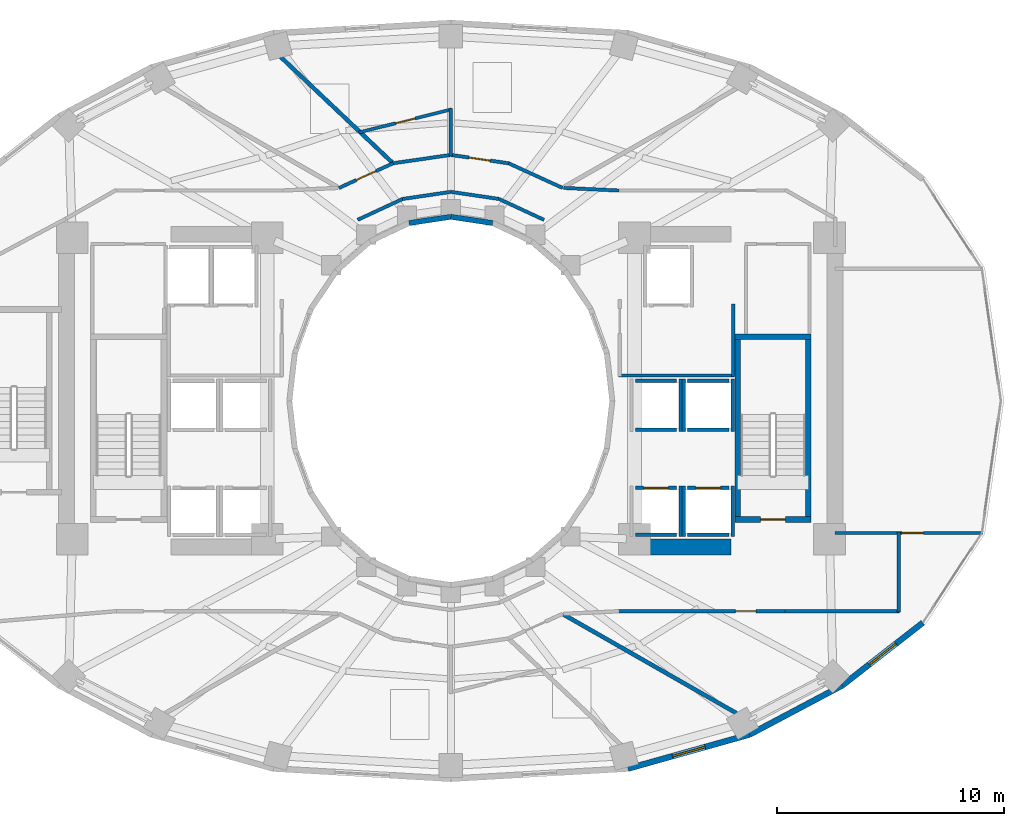
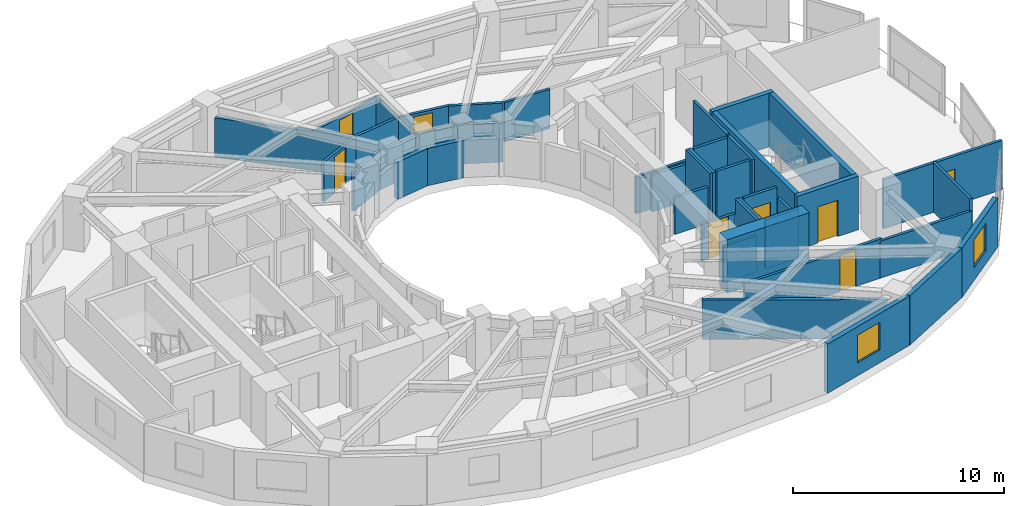
# One storey, part 9 of 13: 43 walls, 8 doors, 2 windows, 10 openings.
"""IFC4 building model written with IfcOpenShell, lengths in metres."""

import ifcopenshell
import ifcopenshell.guid

model = None  # the IFC model being written
_history = None  # IfcOwnerHistory: only IFC2X3 demands one
_inside = {}  # id of a spatial element -> (the spatial element, [elements in it])
_under = {}  # id of a project, library or spatial element -> (it, [spatial elements below it])
_declared = {}  # id of a project -> (the project, [libraries it declares])
_typed = {}  # id of a type object -> (the type object, [elements of that type])
_made_of = {}  # id of a material, layer set ... -> (it, [elements and type objects made of it])


def new_model(schema):
    """Start an empty IFC model of exactly this schema.

    Asked for "IFC4X3", IfcOpenShell would pick the latest addendum, in which some entities
    have other attributes; the version numbers below select the first issue.
    IFC2X3 requires an IfcOwnerHistory on every rooted entity: one is made here for all.
    """
    global model, _history
    if schema == "IFC4X3":
        model = ifcopenshell.file(schema_version=(4, 3, 0, 0))
    else:
        model = ifcopenshell.file(schema=schema)
    _inside.clear()
    _under.clear()
    _declared.clear()
    _typed.clear()
    _made_of.clear()
    _history = None
    if model.schema == "IFC2X3":
        org = make("IfcOrganization", Name="unknown")
        user = make(
            "IfcPersonAndOrganization",
            ThePerson=make("IfcPerson", FamilyName="unknown"),
            TheOrganization=org,
        )
        app = make(
            "IfcApplication",
            ApplicationDeveloper=org,
            Version="unknown",
            ApplicationFullName="unknown",
            ApplicationIdentifier="unknown",
        )
        _history = make(
            "IfcOwnerHistory",
            OwningUser=user,
            OwningApplication=app,
            ChangeAction="ADDED",
            CreationDate=0,
        )
    return model


def make(cls, **values):
    """One entity of the class cls with the attributes given. An attribute that is None is left unset."""
    return model.create_entity(
        cls, **{name: value for name, value in values.items() if value is not None}
    )


def rooted(cls, **values):
    """An entity with a GlobalId (a new one), such as an element, a storey or a relation."""
    return make(cls, GlobalId=ifcopenshell.guid.new(), OwnerHistory=_history, **values)


def si_unit(unit_type, name, prefix=None):
    """IfcSIUnit, for example si_unit("LENGTHUNIT", "METRE", prefix="MILLI")."""
    return make("IfcSIUnit", UnitType=unit_type, Prefix=prefix, Name=name)


def assignment(units):
    """IfcUnitAssignment: the units of a project."""
    return None if units is None else make("IfcUnitAssignment", Units=units)


def point(xyz):
    """IfcCartesianPoint."""
    return None if xyz is None else make("IfcCartesianPoint", Coordinates=xyz)


def direction(xyz):
    """IfcDirection."""
    return None if xyz is None else make("IfcDirection", DirectionRatios=xyz)


def frame(location, z_axis=None, x_axis=None):
    """IfcAxis2Placement3D, a coordinate frame: its origin and axes. An axis left out is left unset."""
    return make(
        "IfcAxis2Placement3D",
        Location=point(location),
        Axis=direction(z_axis),
        RefDirection=direction(x_axis),
    )


def frame_2d(location, x_axis=None):
    """IfcAxis2Placement2D, a coordinate frame in the plane: its origin and x axis."""
    return make(
        "IfcAxis2Placement2D", Location=point(location), RefDirection=direction(x_axis)
    )


def origin():
    """The frame at (0, 0, 0) with its axes left unset."""
    return frame((0.0, 0.0, 0.0))


def place(relative_to, where):
    """IfcLocalPlacement: puts the frame where relative to a parent placement (None: the world)."""
    return make(
        "IfcLocalPlacement", PlacementRelTo=relative_to, RelativePlacement=where
    )


def context(
    kind, dimensions, precision=None, world=None, true_north=None, identifier=None
):
    """IfcGeometricRepresentationContext, for example the 3D "Model" context."""
    return make(
        "IfcGeometricRepresentationContext",
        ContextIdentifier=identifier,
        ContextType=kind,
        CoordinateSpaceDimension=dimensions,
        Precision=precision,
        WorldCoordinateSystem=world,
        TrueNorth=true_north,
    )


def subcontext(parent, identifier, kind, view, scale=None):
    """IfcGeometricRepresentationSubContext, for example "Body" below "Model"."""
    return make(
        "IfcGeometricRepresentationSubContext",
        ContextIdentifier=identifier,
        ContextType=kind,
        ParentContext=parent,
        TargetScale=scale,
        TargetView=view,
    )


def project(units=None, contexts=None):
    """IfcProject with its units and contexts."""
    return rooted(
        "IfcProject",
        Name="project",
        RepresentationContexts=contexts,
        UnitsInContext=assignment(units),
    )


def spatial(cls, under=None, at=None, **own):
    """A site, building, storey or space (cls), placed at a placement, below another one or the project."""
    s = rooted(cls, ObjectPlacement=at, **own)
    if under is not None:
        _under.setdefault(under.id(), (under, []))[1].append(s)
    return s


def profile(cls, at=None, kind="AREA", **sizes):
    """A parametric profile (cls). Its sizes go by their IFC names, for example OverallWidth=200.0."""
    return make(cls, ProfileType=kind, Position=at, **sizes)


def rectangle(**sizes):
    """IfcRectangleProfileDef."""
    return profile("IfcRectangleProfileDef", **sizes)


def extrude(swept, where, along, depth):
    """IfcExtrudedAreaSolid: the profile swept, set in the frame where, extruded along a direction by depth."""
    return make(
        "IfcExtrudedAreaSolid",
        SweptArea=swept,
        Position=where,
        ExtrudedDirection=direction(along),
        Depth=depth,
    )


def shape(context_of_items, identifier, shape_type, items):
    """IfcShapeRepresentation: the items that make up one representation, for example the "Body"."""
    return make(
        "IfcShapeRepresentation",
        ContextOfItems=context_of_items,
        RepresentationIdentifier=identifier,
        RepresentationType=shape_type,
        Items=items,
    )


def material(Name=None, Category=None):
    """IfcMaterial."""
    return make("IfcMaterial", Name=Name, Category=Category)


def layer(
    of_material, thickness, ventilated=None, Name=None, Category=None, Priority=None
):
    """IfcMaterialLayer: one layer of a wall or slab, of a material (None: an air gap)."""
    return make(
        "IfcMaterialLayer",
        Material=of_material,
        LayerThickness=thickness,
        IsVentilated=ventilated,
        Name=Name,
        Category=Category,
        Priority=Priority,
    )


def layer_set(layers, Name=None):
    """IfcMaterialLayerSet."""
    return make("IfcMaterialLayerSet", MaterialLayers=layers, LayerSetName=Name)


def made_of(thing, what):
    """Note that an element or type object is made of a material, layer set ...; save() writes the relation."""
    if what is not None:
        _made_of.setdefault(what.id(), (what, []))[1].append(thing)
    return thing


def type_object(cls, material=None, **own):
    """A type object (cls), such as IfcWallType, which elements share."""
    return made_of(rooted(cls, **own), material)


def element(
    cls,
    number,
    at=None,
    inside=None,
    cuts=None,
    type_object=None,
    material=None,
    context=None,
    identifier="Body",
    shape_type=None,
    held_by="IfcProductDefinitionShape",
    body=None,
    shapes=None,
    **own,
):
    """One element of the class cls, such as IfcWall. Its Tag is "e" and its number.

    at: its placement. inside: the storey or other place that contains it. cuts: it is an
    opening in that element (IfcRelVoidsElement). A single representation is given by context,
    identifier, shape_type and body (its items); several are given by shapes. held_by: the class
    of the entity that holds the representations. save() writes the other relations.
    """
    e = rooted(cls, Tag="e%d" % number, ObjectPlacement=at, **own)
    if body is not None:
        shapes = [shape(context, identifier, shape_type, body)]
    if shapes is not None:
        e.Representation = make(held_by, Representations=shapes)
    if inside is not None:
        _inside.setdefault(inside.id(), (inside, []))[1].append(e)
    if cuts is not None:
        rooted(
            "IfcRelVoidsElement", RelatingBuildingElement=cuts, RelatedOpeningElement=e
        )
    if type_object is not None:
        _typed.setdefault(type_object.id(), (type_object, []))[1].append(e)
    return made_of(e, material)


def fill(opening, filler):
    """IfcRelFillsElement: the door or window that sits in an opening."""
    return rooted(
        "IfcRelFillsElement",
        RelatingOpeningElement=opening,
        RelatedBuildingElement=filler,
    )


def aggregate(whole, parts):
    """IfcRelAggregates: a whole, such as a stair, and the parts it consists of."""
    return rooted("IfcRelAggregates", RelatingObject=whole, RelatedObjects=parts)


def save(model, path):
    """Write the relations noted so far, then the file.

    IfcRelAggregates (storeys below a building ...), IfcRelContainedInSpatialStructure (elements
    in a storey), IfcRelDefinesByType, IfcRelAssociatesMaterial and IfcRelDeclares: one each for
    every whole, place, type object, material and project.
    """
    for whole, parts in _under.values():
        aggregate(whole, parts)
    for where, things in _inside.values():
        rooted(
            "IfcRelContainedInSpatialStructure",
            RelatedElements=things,
            RelatingStructure=where,
        )
    for kind, things in _typed.values():
        rooted("IfcRelDefinesByType", RelatedObjects=things, RelatingType=kind)
    for what, things in _made_of.values():
        rooted("IfcRelAssociatesMaterial", RelatedObjects=things, RelatingMaterial=what)
    for by, libraries in _declared.values():
        rooted("IfcRelDeclares", RelatingContext=by, RelatedDefinitions=libraries)
    model.write(path)


model = new_model("IFC4")

# Units and contexts
model_context = context("Model", 3, precision=1e-05, world=origin(), true_north=direction((0.0, 1.0)))
body_context = subcontext(model_context, "Body", "Model", "MODEL_VIEW")
ifc_project = project(units=[si_unit("LENGTHUNIT", "METRE"), si_unit("AREAUNIT", "SQUARE_METRE"), si_unit("VOLUMEUNIT", "CUBIC_METRE"), si_unit("PLANEANGLEUNIT", "RADIAN"), si_unit("MASSUNIT", "GRAM", prefix="KILO")], contexts=[model_context])

# Site, building, storey
site_placement = place(None, origin())
site = spatial("IfcSite", under=ifc_project, at=site_placement, CompositionType="ELEMENT")
building_placement = place(site_placement, origin())
building = spatial("IfcBuilding", under=site, at=building_placement, Name="Solvane Sanctuary Tower", CompositionType="ELEMENT")
storey_placement = place(building_placement, frame((0.0, 0.0, 85.60009765625)))
storey = spatial("IfcBuildingStorey", under=building, at=storey_placement, Name="L25", CompositionType="ELEMENT", Elevation=85.60009765625)

# Walls
ifc_material_1 = material(Name="Concrete C60/75", Category="concrete")
ifc_layer_1 = layer(ifc_material_1, 0.699951171875, Name="Concrete C60/75")
ifc_layer_set_1 = layer_set([ifc_layer_1], Name="Concrete C60/75")
wall_type_1 = type_object("IfcWallType", Name="Wall W-CORE-700", PredefinedType="SHEAR", material=ifc_layer_set_1)
wall_1_placement = place(storey_placement, frame((39.85009765625, 16.550048828125, 0.0), z_axis=(0.0, 0.0, 1.0), x_axis=(1.0, 0.0, 0.0)))
element("IfcWall", 1, at=wall_1_placement, inside=storey, type_object=wall_type_1, Name="L25 Core Shear Wall EC-S", PredefinedType="SHEAR", context=body_context, shape_type="SweptSolid", body=[
    extrude(rectangle(XDim=4.5, YDim=0.699951171875, at=frame_2d((2.25, 0.0))), origin(), (0.0, 0.0, 1.0), 3.099853515625),
])
ifc_material_2 = material(Name="Acoustic Gypsum Partition Board")
ifc_layer_2 = layer(ifc_material_2, 0.14990234375, Name="Acoustic Gypsum Partition Board")
ifc_layer_set_2 = layer_set([ifc_layer_2], Name="Acoustic Gypsum Partition Board")
wall_type_2 = type_object("IfcWallType", Name="Wall W-CORR-150", PredefinedType="PARTITIONING", material=ifc_layer_set_2)
wall_2_placement = place(storey_placement, frame((39.39990234375, 24.1201171875, 0.0), z_axis=(0.0, 0.0, 1.0), x_axis=(1.0, 0.0, 0.0)))
element("IfcWall", 2, at=wall_2_placement, inside=storey, type_object=wall_type_2, Name="L25 East Firefighting Lobby South Wall", PredefinedType="PARTITIONING", context=body_context, shape_type="SweptSolid", body=[
    extrude(rectangle(XDim=5.080078125, YDim=0.14990234375, at=frame_2d((2.5400390625, 0.0))), origin(), (0.0, 0.0, 1.0), 2.119873046875),
])
wall_3_placement = place(storey_placement, frame((44.449951171875, 24.080078125, 0.0), z_axis=(0.0, 0.0, 1.0), x_axis=(0.0, 1.0, 0.0)))
element("IfcWall", 3, at=wall_3_placement, inside=storey, type_object=wall_type_2, Name="L25 East Firefighting Lobby East Wall", PredefinedType="PARTITIONING", context=body_context, shape_type="SweptSolid", body=[
    extrude(rectangle(XDim=3.199951171875, YDim=0.14990234375, at=frame_2d((1.60009765625, 0.0))), origin(), (0.0, 0.0, 1.0), 2.85498046875),
])
wall_4_placement = place(storey_placement, frame((36.110107421875, 30.98486328125, 0.0), z_axis=(0.0, 0.0, 1.0), x_axis=(-0.906943449489, 0.421252393975, 0.0)))
element("IfcWall", 4, at=wall_4_placement, inside=storey, type_object=wall_type_2, Name="L25 Light-Well Corridor Rim Wall N1", PredefinedType="PARTITIONING", context=body_context, shape_type="SweptSolid", body=[
    extrude(rectangle(XDim=2.18603515625, YDim=0.14990234375, at=frame_2d((1.093017578125, 0.0))), origin(), (0.0, 0.0, 1.0), 2.27197265625),
])
for number, where, z_axis, x_axis, name in (
    (5, (34.12744140625, 31.90576171875, 0.0), (0.0, 0.0, 1.0), (-0.989268584896, 0.146108408166, 0.0), "L25 Light-Well Corridor Rim Wall N2"),
    (6, (32.0, 32.219970703125, 0.0), (0.0, 0.0, 1.0), (-0.989268584896, -0.146108408166, 0.0), "L25 Light-Well Corridor Rim Wall N3"),
):
    element("IfcWall", number, at=place(storey_placement, frame(where, z_axis=z_axis, x_axis=x_axis)), inside=storey, type_object=wall_type_2, Name=name, PredefinedType="PARTITIONING", context=body_context, shape_type="SweptSolid", body=[
        extrude(rectangle(XDim=2.150634765625, YDim=0.14990234375, at=frame_2d((1.0751953125, 0.0))), origin(), (0.0, 0.0, 1.0), 2.27197265625),
    ])
wall_5_placement = place(storey_placement, frame((29.87255859375, 31.90576171875, 0.0), z_axis=(0.0, 0.0, 1.0), x_axis=(-0.906943449489, -0.421252393975, 0.0)))
element("IfcWall", 7, at=wall_5_placement, inside=storey, type_object=wall_type_2, Name="L25 Light-Well Corridor Rim Wall N4", PredefinedType="PARTITIONING", context=body_context, shape_type="SweptSolid", body=[
    extrude(rectangle(XDim=2.18603515625, YDim=0.14990234375, at=frame_2d((1.093017578125, 0.0))), origin(), (0.0, 0.0, 1.0), 2.27197265625),
])

# Wall, opening, door
wall_6_placement = place(storey_placement, frame((48.949951171875, 17.1748046875, 0.0), z_axis=(0.0, 0.0, 1.0), x_axis=(1.0, 0.0, 0.0)))
wall_6 = element("IfcWall", 8, at=wall_6_placement, inside=storey, type_object=wall_type_2, Name="L25 East Shoulder South Wall", PredefinedType="PARTITIONING", context=body_context, shape_type="SweptSolid", body=[
    extrude(rectangle(XDim=6.49169921875, YDim=0.14990234375, at=frame_2d((3.245849609375, 0.0))), origin(), (0.0, 0.0, 1.0), 2.85498046875),
])
opening_1_placement = place(wall_6_placement, frame((2.947509765625, 0.0, 0.0)))
opening_1 = element("IfcOpeningElement", 9, at=opening_1_placement, cuts=wall_6, Name="Opening D-L25-08", PredefinedType="OPENING", context=body_context, shape_type="SweptSolid", body=[
    extrude(rectangle(XDim=0.949951171875, YDim=2.10009765625, at=frame_2d((0.47509765625, 1.050048828125))), frame((0.0, 0.0849609375, 0.0), z_axis=(0.0, -1.0, 0.0), x_axis=(1.0, 0.0, 0.0)), (0.0, 0.0, 1.0), 0.169921875),
])
ifc_material_3 = material(Name="Engineered Tropical Hardwood", Category="wood")
door_type_1 = type_object("IfcDoorType", Name="Door D-ROOM-950", OperationType="NOTDEFINED", PredefinedType="DOOR", material=ifc_material_3)
door_1_placement = place(opening_1_placement, origin())
door_1 = element("IfcDoor", 10, at=door_1_placement, inside=storey, type_object=door_type_1, Name="L25 East Shoulder South Door", OperationType="SINGLE_SWING_LEFT", OverallHeight=2.10009765625, OverallWidth=0.949951171875, PredefinedType="DOOR", context=body_context, shape_type="SweptSolid", body=[
    extrude(rectangle(XDim=0.949951171875, YDim=2.10009765625, at=frame_2d((0.47509765625, 1.050048828125))), frame((0.0, 0.02490234375, 0.0), z_axis=(0.0, -1.0, 0.0), x_axis=(1.0, 0.0, 0.0)), (0.0, 0.0, 1.0), 0.050048828125),
])
fill(opening_1, door_1)

# Walls
wall_7_placement = place(storey_placement, frame((36.97998046875, 32.393798828125, 0.0), z_axis=(0.0, 0.0, 1.0), x_axis=(0.998877427952, -0.047369651964, 0.0)))
element("IfcWall", 11, at=wall_7_placement, inside=storey, type_object=wall_type_2, Name="L25 NE Corner Throat Wall", PredefinedType="PARTITIONING", context=body_context, shape_type="SweptSolid", body=[
    extrude(rectangle(XDim=2.4326171875, YDim=0.14990234375, at=frame_2d((1.21630859375, 0.0))), origin(), (0.0, 0.0, 1.0), 2.27197265625),
])
wall_8_placement = place(storey_placement, frame((51.760009765625, 13.679931640625, 0.0), z_axis=(0.0, 0.0, 1.0), x_axis=(0.0, 1.0, 0.0)))
element("IfcWall", 12, at=wall_8_placement, inside=storey, type_object=wall_type_2, Name="L25 SE Corner Closer 1", PredefinedType="PARTITIONING", context=body_context, shape_type="SweptSolid", body=[
    extrude(rectangle(XDim=3.534912109375, YDim=0.14990234375, at=frame_2d((1.767578125, 0.0))), origin(), (0.0, 0.0, 1.0), 2.85498046875),
])

# Wall, opening, door
wall_9_placement = place(storey_placement, frame((39.330078125, 13.719970703125, 0.0), z_axis=(0.0, 0.0, 1.0), x_axis=(1.0, 0.0, 0.0)))
wall_9 = element("IfcWall", 13, at=wall_9_placement, inside=storey, type_object=wall_type_2, Name="L25 SE Corner Corridor Wall", PredefinedType="PARTITIONING", context=body_context, shape_type="SweptSolid", body=[
    extrude(rectangle(XDim=7.52001953125, YDim=0.14990234375, at=frame_2d((3.760009765625, 0.0))), origin(), (0.0, 0.0, 1.0), 2.27197265625),
])
opening_2_placement = place(wall_9_placement, frame((5.219970703125, 0.0, 0.0)))
opening_2 = element("IfcOpeningElement", 14, at=opening_2_placement, cuts=wall_9, Name="Opening D-L25-13", PredefinedType="OPENING", context=body_context, shape_type="SweptSolid", body=[
    extrude(rectangle(XDim=0.89990234375, YDim=2.10009765625, at=frame_2d((0.449951171875, 1.050048828125))), frame((0.0, 0.0849609375, 0.0), z_axis=(0.0, -1.0, 0.0), x_axis=(1.0, 0.0, 0.0)), (0.0, 0.0, 1.0), 0.169921875),
])
door_type_2 = type_object("IfcDoorType", Name="Door D-WET-900", OperationType="NOTDEFINED", PredefinedType="DOOR", material=ifc_material_3)
door_2_placement = place(opening_2_placement, origin())
door_2 = element("IfcDoor", 15, at=door_2_placement, inside=storey, type_object=door_type_2, Name="L25 SE Corner Salon Door", OperationType="SINGLE_SWING_RIGHT", OverallHeight=2.10009765625, OverallWidth=0.89990234375, PredefinedType="DOOR", context=body_context, shape_type="SweptSolid", body=[
    extrude(rectangle(XDim=0.89990234375, YDim=2.10009765625, at=frame_2d((0.449951171875, 1.050048828125))), frame((0.0, 0.02490234375, 0.0), z_axis=(0.0, -1.0, 0.0), x_axis=(1.0, 0.0, 0.0)), (0.0, 0.0, 1.0), 0.050048828125),
])
fill(opening_2, door_2)

# Walls
wall_10_placement = place(storey_placement, frame((46.75, 13.719970703125, 0.0), z_axis=(0.0, 0.0, 1.0), x_axis=(1.0, 0.0, 0.0)))
element("IfcWall", 16, at=wall_10_placement, inside=storey, type_object=wall_type_2, Name="L25 SE Corner Wing Wall", PredefinedType="PARTITIONING", context=body_context, shape_type="SweptSolid", body=[
    extrude(rectangle(XDim=5.050048828125, YDim=0.14990234375, at=frame_2d((2.52490234375, 0.0))), origin(), (0.0, 0.0, 1.0), 2.141845703125),
])
wall_11_placement = place(storey_placement, frame((32.049560546875, 33.857177734375, 0.0), z_axis=(0.0, 0.0, 1.0), x_axis=(-0.989649898776, -0.143502884474, 0.0)))
element("IfcWall", 17, at=wall_11_placement, inside=storey, type_object=wall_type_2, Name="L25 En-suite Inner Wall N1", PredefinedType="PARTITIONING", context=body_context, shape_type="SweptSolid", body=[
    extrude(rectangle(XDim=2.676025390625, YDim=0.14990234375, at=frame_2d((1.337890625, 0.0))), origin(), (0.0, 0.0, 1.0), 2.27197265625),
])
wall_12_placement = place(storey_placement, frame((36.930908203125, 32.392578125, 0.0), z_axis=(0.0, 0.0, 1.0), x_axis=(-0.909747571199, 0.415161843982, 0.0)))
element("IfcWall", 18, at=wall_12_placement, inside=storey, type_object=wall_type_2, Name="L25 Unit Corridor Wall N1", PredefinedType="PARTITIONING", context=body_context, shape_type="SweptSolid", body=[
    extrude(rectangle(XDim=2.625, YDim=0.14990234375, at=frame_2d((1.3125, 0.0))), origin(), (0.0, 0.0, 1.0), 2.27197265625),
])

# Wall, opening, door
wall_13_placement = place(storey_placement, frame((34.555908203125, 33.478271484375, 0.0), z_axis=(0.0, 0.0, 1.0), x_axis=(-0.989637894688, 0.143585644814, 0.0)))
wall_13 = element("IfcWall", 19, at=wall_13_placement, inside=storey, type_object=wall_type_2, Name="L25 Unit Corridor Wall N1", PredefinedType="PARTITIONING", context=body_context, shape_type="SweptSolid", body=[
    extrude(rectangle(XDim=2.589599609375, YDim=0.14990234375, at=frame_2d((1.294921875, 0.0))), origin(), (0.0, 0.0, 1.0), 2.27197265625),
])
opening_3_placement = place(wall_13_placement, frame((0.81982421875, 0.0, 0.0)))
opening_3 = element("IfcOpeningElement", 20, at=opening_3_placement, cuts=wall_13, Name="Opening D-L25-15", PredefinedType="OPENING", context=body_context, shape_type="SweptSolid", body=[
    extrude(rectangle(XDim=0.949951171875, YDim=2.10009765625, at=frame_2d((0.47509765625, 1.050048828125))), frame((0.0, 0.0849609375, 0.0), z_axis=(0.0, -1.0, 0.0), x_axis=(1.0, 0.0, 0.0)), (0.0, 0.0, 1.0), 0.169921875),
])
door_3_placement = place(opening_3_placement, origin())
door_3 = element("IfcDoor", 21, at=door_3_placement, inside=storey, type_object=door_type_1, Name="L25 Unit Entrance Door N1", OperationType="SINGLE_SWING_RIGHT", OverallHeight=2.10009765625, OverallWidth=0.949951171875, PredefinedType="DOOR", context=body_context, shape_type="SweptSolid", body=[
    extrude(rectangle(XDim=0.949951171875, YDim=2.10009765625, at=frame_2d((0.47509765625, 1.050048828125))), frame((0.0, 0.02490234375, 0.0), z_axis=(0.0, -1.0, 0.0), x_axis=(1.0, 0.0, 0.0)), (0.0, 0.0, 1.0), 0.050048828125),
])
fill(opening_3, door_3)

wall_14_placement = place(storey_placement, frame((29.457275390625, 33.482421875, 0.0), z_axis=(0.0, 0.0, 1.0), x_axis=(-0.909747571199, -0.415161843982, 0.0)))
wall_14 = element("IfcWall", 22, at=wall_14_placement, inside=storey, type_object=wall_type_2, Name="L25 Unit Corridor Wall N2", PredefinedType="PARTITIONING", context=body_context, shape_type="SweptSolid", body=[
    extrude(rectangle(XDim=2.625, YDim=0.14990234375, at=frame_2d((1.3125, 0.0))), origin(), (0.0, 0.0, 1.0), 2.27197265625),
])
opening_4_placement = place(wall_14_placement, frame((0.837646484375, 0.0, 0.0)))
opening_4 = element("IfcOpeningElement", 23, at=opening_4_placement, cuts=wall_14, Name="Opening D-L25-16", PredefinedType="OPENING", context=body_context, shape_type="SweptSolid", body=[
    extrude(rectangle(XDim=0.949951171875, YDim=2.10009765625, at=frame_2d((0.47509765625, 1.050048828125))), frame((0.0, 0.0849609375, 0.0), z_axis=(0.0, -1.0, 0.0), x_axis=(1.0, 0.0, 0.0)), (0.0, 0.0, 1.0), 0.169921875),
])
door_4_placement = place(opening_4_placement, origin())
door_4 = element("IfcDoor", 24, at=door_4_placement, inside=storey, type_object=door_type_1, Name="L25 Unit Entrance Door N2", OperationType="SINGLE_SWING_LEFT", OverallHeight=2.10009765625, OverallWidth=0.949951171875, PredefinedType="DOOR", context=body_context, shape_type="SweptSolid", body=[
    extrude(rectangle(XDim=0.949951171875, YDim=2.10009765625, at=frame_2d((0.47509765625, 1.050048828125))), frame((0.0, 0.02490234375, 0.0), z_axis=(0.0, -1.0, 0.0), x_axis=(1.0, 0.0, 0.0)), (0.0, 0.0, 1.0), 0.050048828125),
])
fill(opening_4, door_4)

# Wall, opening, window
ifc_material_4 = material(Name="Precast concrete C40/50", Category="concrete")
ifc_layer_3 = layer(ifc_material_4, 0.260009765625, Name="Precast concrete C40/50")
ifc_layer_set_3 = layer_set([ifc_layer_3], Name="Precast concrete C40/50")
wall_type_3 = type_object("IfcWallType", Name="Wall W-EXT-250", PredefinedType="STANDARD", material=ifc_layer_set_3)
wall_15_placement = place(storey_placement, frame((39.81640625, 6.7783203125, 0.0), z_axis=(0.0, 0.0, 1.0), x_axis=(0.962938491413, 0.269721081407, 0.0)))
wall_15 = element("IfcWall", 25, at=wall_15_placement, inside=storey, type_object=wall_type_3, Name="L25 Ceramic-Printed Facade Wall 19", PredefinedType="STANDARD", context=body_context, shape_type="SweptSolid", body=[
    extrude(rectangle(XDim=5.563232421875, YDim=0.260009765625, at=frame_2d((2.78173828125, 0.0))), origin(), (0.0, 0.0, 1.0), 2.849853515625),
])
opening_5_placement = place(wall_15_placement, frame((2.031494140625, 0.0, 0.75)))
opening_5 = element("IfcOpeningElement", 26, at=opening_5_placement, cuts=wall_15, Name="Opening WN-OPER-1500", PredefinedType="OPENING", context=body_context, shape_type="SweptSolid", body=[
    extrude(rectangle(XDim=1.5, YDim=1.60009765625, at=frame_2d((0.75, 0.800048828125))), frame((0.0, 0.139892578125, 0.0), z_axis=(0.0, -1.0, 0.0), x_axis=(1.0, 0.0, 0.0)), (0.0, 0.0, 1.0), 0.280029296875),
])
ifc_material_5 = material(Name="Dark Ceramic-Fritted Low-E Glass", Category="glass")
window_type = type_object("IfcWindowType", Name="Window WN-OPER-1500", PartitioningType="SINGLE_PANEL", PredefinedType="WINDOW", material=ifc_material_5)
window_1_placement = place(opening_5_placement, origin())
window_1 = element("IfcWindow", 27, at=window_1_placement, inside=storey, type_object=window_type, Name="L25 Operable Facade Window 19", OverallHeight=1.60009765625, OverallWidth=1.5, PartitioningType="SINGLE_PANEL", PredefinedType="WINDOW", context=body_context, shape_type="SweptSolid", body=[
    extrude(rectangle(XDim=1.5, YDim=1.60009765625, at=frame_2d((0.75, 0.800048828125))), frame((0.0, 0.030029296875, 0.0), z_axis=(0.0, -1.0, 0.0), x_axis=(1.0, 0.0, 0.0)), (0.0, 0.0, 1.0), 0.06005859375),
])
fill(opening_5, window_1)

# Wall
wall_16_placement = place(storey_placement, frame((45.17333984375, 8.27880859375, 0.0), z_axis=(0.0, 0.0, 1.0), x_axis=(0.883668636807, 0.4681129568, 0.0)))
element("IfcWall", 28, at=wall_16_placement, inside=storey, type_object=wall_type_3, Name="L25 Ceramic-Printed Facade Wall 20", PredefinedType="STANDARD", context=body_context, shape_type="SweptSolid", body=[
    extrude(rectangle(XDim=4.63134765625, YDim=0.260009765625, at=frame_2d((2.315673828125, 0.0))), origin(), (0.0, 0.0, 1.0), 2.849853515625),
])

# Wall, opening, window
wall_17_placement = place(storey_placement, frame((49.265869140625, 10.44677734375, 0.0), z_axis=(0.0, 0.0, 1.0), x_axis=(0.789127449954, 0.614229491094, 0.0)))
wall_17 = element("IfcWall", 29, at=wall_17_placement, inside=storey, type_object=wall_type_3, Name="L25 Ceramic-Printed Facade Wall 21", PredefinedType="STANDARD", context=body_context, shape_type="SweptSolid", body=[
    extrude(rectangle(XDim=4.504638671875, YDim=0.260009765625, at=frame_2d((2.25244140625, 0.0))), origin(), (0.0, 0.0, 1.0), 2.849853515625),
])
opening_6_placement = place(wall_17_placement, frame((1.502197265625, 0.0, 0.75)))
opening_6 = element("IfcOpeningElement", 30, at=opening_6_placement, cuts=wall_17, Name="Opening WN-OPER-1500", PredefinedType="OPENING", context=body_context, shape_type="SweptSolid", body=[
    extrude(rectangle(XDim=1.5, YDim=1.60009765625, at=frame_2d((0.75, 0.800048828125))), frame((0.0, 0.139892578125, 0.0), z_axis=(0.0, -1.0, 0.0), x_axis=(1.0, 0.0, 0.0)), (0.0, 0.0, 1.0), 0.280029296875),
])
window_2_placement = place(opening_6_placement, origin())
window_2 = element("IfcWindow", 31, at=window_2_placement, inside=storey, type_object=window_type, Name="L25 Operable Facade Window 21", OverallHeight=1.60009765625, OverallWidth=1.5, PartitioningType="SINGLE_PANEL", PredefinedType="WINDOW", context=body_context, shape_type="SweptSolid", body=[
    extrude(rectangle(XDim=1.5, YDim=1.60009765625, at=frame_2d((0.75, 0.800048828125))), frame((0.0, 0.030029296875, 0.0), z_axis=(0.0, -1.0, 0.0), x_axis=(1.0, 0.0, 0.0)), (0.0, 0.0, 1.0), 0.06005859375),
])
fill(opening_6, window_2)

# Walls
ifc_layer_4 = layer(ifc_material_4, 0.22998046875, Name="Precast concrete C40/50")
ifc_layer_set_4 = layer_set([ifc_layer_4], Name="Precast concrete C40/50")
wall_type_4 = type_object("IfcWallType", Name="Wall W-EXT-SP220", PredefinedType="STANDARD", material=ifc_layer_set_4)
for number, where, z_axis, x_axis, name in (
    (32, (33.8427734375, 30.84326171875, 0.0), (0.0, 0.0, 1.0), (-0.988901730308, 0.148571086668, 0.0), "L25 Central Light-Well Wall 05"),
    (33, (32.0, 31.1201171875, 0.0), (0.0, 0.0, 1.0), (-0.988901730308, -0.148571086668, 0.0), "L25 Central Light-Well Wall 06"),
):
    element("IfcWall", number, at=place(storey_placement, frame(where, z_axis=z_axis, x_axis=x_axis)), inside=storey, type_object=wall_type_4, Name=name, PredefinedType="STANDARD", context=body_context, shape_type="SweptSolid", body=[
        extrude(rectangle(XDim=1.863525390625, YDim=0.22998046875, at=frame_2d((0.931640625, 0.0))), origin(), (0.0, 0.0, 1.0), 2.159912109375),
    ])

# Wall, opening, door
ifc_material_6 = material(Name="Concrete C50/60", Category="concrete")
ifc_layer_5 = layer(ifc_material_6, 0.14990234375, Name="Concrete C50/60")
ifc_layer_set_5 = layer_set([ifc_layer_5], Name="Concrete C50/60")
wall_type_5 = type_object("IfcWallType", Name="Wall W-SHAFT-150", PredefinedType="SOLIDWALL", material=ifc_layer_set_5)
wall_18_placement = place(storey_placement, frame((40.139892578125, 19.159912109375, 0.0), z_axis=(0.0, 0.0, 1.0), x_axis=(1.0, 0.0, 0.0)))
wall_18 = element("IfcWall", 34, at=wall_18_placement, inside=storey, type_object=wall_type_5, Name="L25 PL-3 Lift Shaft Wall F", PredefinedType="SOLIDWALL", context=body_context, shape_type="SweptSolid", body=[
    extrude(rectangle(XDim=1.820068359375, YDim=0.14990234375, at=frame_2d((0.91015625, 0.0))), origin(), (0.0, 0.0, 1.0), 2.119873046875),
])
opening_7_placement = place(wall_18_placement, frame((0.360107421875, 0.0, 0.0)))
opening_7 = element("IfcOpeningElement", 35, at=opening_7_placement, cuts=wall_18, Name="Opening LD-L25-03", PredefinedType="OPENING", context=body_context, shape_type="SweptSolid", body=[
    extrude(rectangle(XDim=1.10009765625, YDim=2.10009765625, at=frame_2d((0.550048828125, 1.050048828125))), frame((0.0, 0.0849609375, 0.0), z_axis=(0.0, -1.0, 0.0), x_axis=(1.0, 0.0, 0.0)), (0.0, 0.0, 1.0), 0.169921875),
])
ifc_material_7 = material(Name="Architectural Stainless Steel 316", Category="steel")
door_type_3 = type_object("IfcDoorType", Name="Door LD-PASS-1100", OperationType="NOTDEFINED", PredefinedType="DOOR", material=ifc_material_7)
door_5_placement = place(opening_7_placement, origin())
door_5 = element("IfcDoor", 36, at=door_5_placement, inside=storey, type_object=door_type_3, Name="L25 PL-3 Lift Landing Door", OperationType="DOUBLE_DOOR_SLIDING", OverallHeight=2.10009765625, OverallWidth=1.10009765625, PredefinedType="DOOR", context=body_context, shape_type="SweptSolid", body=[
    extrude(rectangle(XDim=1.10009765625, YDim=2.10009765625, at=frame_2d((0.550048828125, 1.050048828125))), frame((0.0, 0.02490234375, 0.0), z_axis=(0.0, -1.0, 0.0), x_axis=(1.0, 0.0, 0.0)), (0.0, 0.0, 1.0), 0.050048828125),
])
fill(opening_7, door_5)

# Walls
wall_19_placement = place(storey_placement, frame((40.139892578125, 17.10009765625, 0.0), z_axis=(0.0, 0.0, 1.0), x_axis=(1.0, 0.0, 0.0)))
element("IfcWall", 37, at=wall_19_placement, inside=storey, type_object=wall_type_5, Name="L25 PL-3 Lift Shaft Wall B", PredefinedType="SOLIDWALL", context=body_context, shape_type="SweptSolid", body=[
    extrude(rectangle(XDim=1.820068359375, YDim=0.14990234375, at=frame_2d((0.91015625, 0.0))), origin(), (0.0, 0.0, 1.0), 2.119873046875),
])
wall_20_placement = place(storey_placement, frame((42.1298828125, 17.02001953125, 0.0), z_axis=(0.0, 0.0, 1.0), x_axis=(0.0, 1.0, 0.0)))
element("IfcWall", 38, at=wall_20_placement, inside=storey, type_object=wall_type_5, Name="L25 PL-3 Lift Shaft Wall S2", PredefinedType="SOLIDWALL", context=body_context, shape_type="SweptSolid", body=[
    extrude(rectangle(XDim=2.219970703125, YDim=0.14990234375, at=frame_2d((1.10986328125, 0.0))), origin(), (0.0, 0.0, 1.0), 2.85498046875),
])

# Wall, opening, door
wall_21_placement = place(storey_placement, frame((42.43994140625, 19.159912109375, 0.0), z_axis=(0.0, 0.0, 1.0), x_axis=(1.0, 0.0, 0.0)))
wall_21 = element("IfcWall", 39, at=wall_21_placement, inside=storey, type_object=wall_type_5, Name="L25 PL-4 Lift Shaft Wall F", PredefinedType="SOLIDWALL", context=body_context, shape_type="SweptSolid", body=[
    extrude(rectangle(XDim=1.820068359375, YDim=0.14990234375, at=frame_2d((0.91015625, 0.0))), origin(), (0.0, 0.0, 1.0), 2.85498046875),
])
opening_8_placement = place(wall_21_placement, frame((0.360107421875, 0.0, 0.0)))
opening_8 = element("IfcOpeningElement", 40, at=opening_8_placement, cuts=wall_21, Name="Opening LD-L25-04", PredefinedType="OPENING", context=body_context, shape_type="SweptSolid", body=[
    extrude(rectangle(XDim=1.10009765625, YDim=2.10009765625, at=frame_2d((0.550048828125, 1.050048828125))), frame((0.0, 0.0849609375, 0.0), z_axis=(0.0, -1.0, 0.0), x_axis=(1.0, 0.0, 0.0)), (0.0, 0.0, 1.0), 0.169921875),
])
door_6_placement = place(opening_8_placement, origin())
door_6 = element("IfcDoor", 41, at=door_6_placement, inside=storey, type_object=door_type_3, Name="L25 PL-4 Lift Landing Door", OperationType="DOUBLE_DOOR_SLIDING", OverallHeight=2.10009765625, OverallWidth=1.10009765625, PredefinedType="DOOR", context=body_context, shape_type="SweptSolid", body=[
    extrude(rectangle(XDim=1.10009765625, YDim=2.10009765625, at=frame_2d((0.550048828125, 1.050048828125))), frame((0.0, 0.02490234375, 0.0), z_axis=(0.0, -1.0, 0.0), x_axis=(1.0, 0.0, 0.0)), (0.0, 0.0, 1.0), 0.050048828125),
])
fill(opening_8, door_6)

# Walls
wall_22_placement = place(storey_placement, frame((42.43994140625, 17.10009765625, 0.0), z_axis=(0.0, 0.0, 1.0), x_axis=(1.0, 0.0, 0.0)))
element("IfcWall", 42, at=wall_22_placement, inside=storey, type_object=wall_type_5, Name="L25 PL-4 Lift Shaft Wall B", PredefinedType="SOLIDWALL", context=body_context, shape_type="SweptSolid", body=[
    extrude(rectangle(XDim=1.820068359375, YDim=0.14990234375, at=frame_2d((0.91015625, 0.0))), origin(), (0.0, 0.0, 1.0), 2.85498046875),
])
wall_23_placement = place(storey_placement, frame((42.27001953125, 17.02001953125, 0.0), z_axis=(0.0, 0.0, 1.0), x_axis=(0.0, 1.0, 0.0)))
element("IfcWall", 43, at=wall_23_placement, inside=storey, type_object=wall_type_5, Name="L25 PL-4 Lift Shaft Wall S1", PredefinedType="SOLIDWALL", context=body_context, shape_type="SweptSolid", body=[
    extrude(rectangle(XDim=2.219970703125, YDim=0.14990234375, at=frame_2d((1.10986328125, 0.0))), origin(), (0.0, 0.0, 1.0), 2.85498046875),
])
wall_24_placement = place(storey_placement, frame((44.429931640625, 17.02001953125, 0.0), z_axis=(0.0, 0.0, 1.0), x_axis=(0.0, 1.0, 0.0)))
element("IfcWall", 44, at=wall_24_placement, inside=storey, type_object=wall_type_5, Name="L25 PL-4 Lift Shaft Wall S2", PredefinedType="SOLIDWALL", context=body_context, shape_type="SweptSolid", body=[
    extrude(rectangle(XDim=2.219970703125, YDim=0.14990234375, at=frame_2d((1.10986328125, 0.0))), origin(), (0.0, 0.0, 1.0), 2.119873046875),
])
for number, where, z_axis, x_axis, name in (
    (45, (42.43994140625, 21.719970703125, 0.0), (0.0, 0.0, 1.0), (1.0, 0.0, 0.0), "L25 PM-2 Lift Shaft Wall F"),
    (46, (42.43994140625, 23.8798828125, 0.0), (0.0, 0.0, 1.0), (1.0, 0.0, 0.0), "L25 PM-2 Lift Shaft Wall B"),
):
    element("IfcWall", number, at=place(storey_placement, frame(where, z_axis=z_axis, x_axis=x_axis)), inside=storey, type_object=wall_type_5, Name=name, PredefinedType="SOLIDWALL", context=body_context, shape_type="SweptSolid", body=[
        extrude(rectangle(XDim=1.820068359375, YDim=0.14990234375, at=frame_2d((0.91015625, 0.0))), origin(), (0.0, 0.0, 1.0), 2.85498046875),
    ])
for number, where, z_axis, x_axis, name in (
    (47, (42.27001953125, 21.639892578125, 0.0), (0.0, 0.0, 1.0), (0.0, 1.0, 0.0), "L25 PM-2 Lift Shaft Wall S1"),
    (48, (44.429931640625, 21.639892578125, 0.0), (0.0, 0.0, 1.0), (0.0, 1.0, 0.0), "L25 PM-2 Lift Shaft Wall S2"),
):
    element("IfcWall", number, at=place(storey_placement, frame(where, z_axis=z_axis, x_axis=x_axis)), inside=storey, type_object=wall_type_5, Name=name, PredefinedType="SOLIDWALL", context=body_context, shape_type="SweptSolid", body=[
        extrude(rectangle(XDim=2.320068359375, YDim=0.14990234375, at=frame_2d((1.16015625, 0.0))), origin(), (0.0, 0.0, 1.0), 2.85498046875),
    ])
for number, where, z_axis, x_axis, name in (
    (49, (40.139892578125, 21.719970703125, 0.0), (0.0, 0.0, 1.0), (1.0, 0.0, 0.0), "L25 PH-2 Lift Shaft Wall F"),
    (50, (40.139892578125, 23.8798828125, 0.0), (0.0, 0.0, 1.0), (1.0, 0.0, 0.0), "L25 PH-2 Lift Shaft Wall B"),
):
    element("IfcWall", number, at=place(storey_placement, frame(where, z_axis=z_axis, x_axis=x_axis)), inside=storey, type_object=wall_type_5, Name=name, PredefinedType="SOLIDWALL", context=body_context, shape_type="SweptSolid", body=[
        extrude(rectangle(XDim=1.820068359375, YDim=0.14990234375, at=frame_2d((0.91015625, 0.0))), origin(), (0.0, 0.0, 1.0), 2.119873046875),
    ])
wall_25_placement = place(storey_placement, frame((42.1298828125, 21.639892578125, 0.0), z_axis=(0.0, 0.0, 1.0), x_axis=(0.0, 1.0, 0.0)))
element("IfcWall", 51, at=wall_25_placement, inside=storey, type_object=wall_type_5, Name="L25 PH-2 Lift Shaft Wall S2", PredefinedType="SOLIDWALL", context=body_context, shape_type="SweptSolid", body=[
    extrude(rectangle(XDim=2.320068359375, YDim=0.14990234375, at=frame_2d((1.16015625, 0.0))), origin(), (0.0, 0.0, 1.0), 2.85498046875),
])

# Wall, opening, door
ifc_layer_6 = layer(ifc_material_6, 0.25, Name="Concrete C50/60")
ifc_layer_set_6 = layer_set([ifc_layer_6], Name="Concrete C50/60")
wall_type_6 = type_object("IfcWallType", Name="Wall W-SHAFT-250", PredefinedType="SOLIDWALL", material=ifc_layer_set_6)
wall_26_placement = place(storey_placement, frame((44.52490234375, 17.77001953125, 0.0), z_axis=(0.0, 0.0, 1.0), x_axis=(1.0, 0.0, 0.0)))
wall_26 = element("IfcWall", 52, at=wall_26_placement, inside=storey, type_object=wall_type_6, Name="L25 ST-2 Load-Bearing Shaft Wall S", PredefinedType="SOLIDWALL", context=body_context, shape_type="SweptSolid", body=[
    extrude(rectangle(XDim=3.3701171875, YDim=0.25, at=frame_2d((1.68505859375, 0.0))), origin(), (0.0, 0.0, 1.0), 3.099853515625),
])
opening_9_placement = place(wall_26_placement, frame((1.135009765625, 0.0, 0.0)))
opening_9 = element("IfcOpeningElement", 53, at=opening_9_placement, cuts=wall_26, Name="Opening D-L25-02", PredefinedType="OPENING", context=body_context, shape_type="SweptSolid", body=[
    extrude(rectangle(XDim=1.10009765625, YDim=2.10009765625, at=frame_2d((0.550048828125, 1.050048828125))), frame((0.0, 0.135009765625, 0.0), z_axis=(0.0, -1.0, 0.0), x_axis=(1.0, 0.0, 0.0)), (0.0, 0.0, 1.0), 0.27001953125),
])
door_type_4 = type_object("IfcDoorType", Name="Door D-STAIR", OperationType="NOTDEFINED", PredefinedType="DOOR", material=ifc_material_7)
door_7_placement = place(opening_9_placement, origin())
door_7 = element("IfcDoor", 54, at=door_7_placement, inside=storey, type_object=door_type_4, Name="L25 ST-2 Exit Stair Fire Door", OperationType="SINGLE_SWING_RIGHT", OverallHeight=2.10009765625, OverallWidth=1.10009765625, PredefinedType="DOOR", context=body_context, shape_type="SweptSolid", body=[
    extrude(rectangle(XDim=1.10009765625, YDim=2.10009765625, at=frame_2d((0.550048828125, 1.050048828125))), frame((0.0, 0.02490234375, 0.0), z_axis=(0.0, -1.0, 0.0), x_axis=(1.0, 0.0, 0.0)), (0.0, 0.0, 1.0), 0.050048828125),
])
fill(opening_9, door_7)

# Walls
wall_27_placement = place(storey_placement, frame((44.52490234375, 25.830078125, 0.0), z_axis=(0.0, 0.0, 1.0), x_axis=(1.0, 0.0, 0.0)))
element("IfcWall", 55, at=wall_27_placement, inside=storey, type_object=wall_type_6, Name="L25 ST-2 Load-Bearing Shaft Wall N", PredefinedType="SOLIDWALL", context=body_context, shape_type="SweptSolid", body=[
    extrude(rectangle(XDim=3.3701171875, YDim=0.25, at=frame_2d((1.68505859375, 0.0))), origin(), (0.0, 0.0, 1.0), 3.099853515625),
])
for number, where, z_axis, x_axis, name in (
    (56, (44.64990234375, 17.89501953125, 0.0), (0.0, 0.0, 1.0), (0.0, 1.0, 0.0), "L25 ST-2 Load-Bearing Shaft Wall W"),
    (57, (47.77001953125, 17.89501953125, 0.0), (0.0, 0.0, 1.0), (0.0, 1.0, 0.0), "L25 ST-2 Load-Bearing Shaft Wall E"),
):
    element("IfcWall", number, at=place(storey_placement, frame(where, z_axis=z_axis, x_axis=x_axis)), inside=storey, type_object=wall_type_6, Name=name, PredefinedType="SOLIDWALL", context=body_context, shape_type="SweptSolid", body=[
        extrude(rectangle(XDim=7.81005859375, YDim=0.25, at=frame_2d((3.905029296875, 0.0))), origin(), (0.0, 0.0, 1.0), 3.099853515625),
    ])
ifc_layer_7 = layer(ifc_material_2, 0.179931640625, Name="Acoustic Gypsum Partition Board")
ifc_layer_set_7 = layer_set([ifc_layer_7], Name="Acoustic Gypsum Partition Board")
wall_type_7 = type_object("IfcWallType", Name="Wall W-UNIT-180", PredefinedType="PARTITIONING", material=ifc_layer_set_7)
wall_28_placement = place(storey_placement, frame((29.41064453125, 33.51806640625, 0.0), z_axis=(0.0, 0.0, 1.0), x_axis=(-0.726306601605, 0.687370875485, 0.0)))
element("IfcWall", 58, at=wall_28_placement, inside=storey, type_object=wall_type_7, Name="L25 Radial Compartment Wall 105", PredefinedType="PARTITIONING", context=body_context, shape_type="SweptSolid", body=[
    extrude(rectangle(XDim=6.759521484375, YDim=0.179931640625, at=frame_2d((3.3798828125, 0.0))), origin(), (0.0, 0.0, 1.0), 2.27197265625),
])
wall_29_placement = place(storey_placement, frame((36.972900390625, 13.576416015625, 0.0), z_axis=(0.0, 0.0, 1.0), x_axis=(0.868484076301, -0.495717065685, 0.0)))
element("IfcWall", 59, at=wall_29_placement, inside=storey, type_object=wall_type_7, Name="L25 Radial Compartment Wall 300", PredefinedType="PARTITIONING", context=body_context, shape_type="SweptSolid", body=[
    extrude(rectangle(XDim=8.78857421875, YDim=0.179931640625, at=frame_2d((4.394287109375, 0.0))), origin(), (0.0, 0.0, 1.0), 2.27197265625),
])
ifc_layer_8 = layer(ifc_material_2, 0.139892578125, Name="Acoustic Gypsum Partition Board")
ifc_layer_set_8 = layer_set([ifc_layer_8], Name="Acoustic Gypsum Partition Board")
wall_type_8 = type_object("IfcWallType", Name="Wall W-WET-140", PredefinedType="PLUMBINGWALL", material=ifc_layer_set_8)
wall_30_placement = place(storey_placement, frame((32.0, 33.800048828125, 0.0), z_axis=(0.0, 0.0, 1.0), x_axis=(0.0, 1.0, 0.0)))
element("IfcWall", 60, at=wall_30_placement, inside=storey, type_object=wall_type_8, Name="L25 En-suite Side Partition N1", PredefinedType="PLUMBINGWALL", context=body_context, shape_type="SweptSolid", body=[
    extrude(rectangle(XDim=2.099853515625, YDim=0.139892578125, at=frame_2d((1.0498046875, 0.0))), origin(), (0.0, 0.0, 1.0), 2.27197265625),
])

# Wall, opening, door
wall_31_placement = place(storey_placement, frame((32.048583984375, 35.862060546875, 0.0), z_axis=(0.0, 0.0, 1.0), x_axis=(-0.970461257599, -0.241257015439, 0.0)))
wall_31 = element("IfcWall", 61, at=wall_31_placement, inside=storey, type_object=wall_type_8, Name="L25 En-suite Bedroom Wall N1", PredefinedType="PLUMBINGWALL", context=body_context, shape_type="SweptSolid", body=[
    extrude(rectangle(XDim=4.223876953125, YDim=0.139892578125, at=frame_2d((2.11181640625, 0.0))), origin(), (0.0, 0.0, 1.0), 2.27197265625),
])
opening_10_placement = place(wall_31_placement, frame((1.661865234375, 0.0, 0.0)))
opening_10 = element("IfcOpeningElement", 62, at=opening_10_placement, cuts=wall_31, Name="Opening D-L25-14", PredefinedType="OPENING", context=body_context, shape_type="SweptSolid", body=[
    extrude(rectangle(XDim=0.89990234375, YDim=2.10009765625, at=frame_2d((0.449951171875, 1.050048828125))), frame((0.0, 0.079833984375, 0.0), z_axis=(0.0, -1.0, 0.0), x_axis=(1.0, 0.0, 0.0)), (0.0, 0.0, 1.0), 0.159912109375),
])
door_8_placement = place(opening_10_placement, origin())
door_8 = element("IfcDoor", 63, at=door_8_placement, inside=storey, type_object=door_type_2, Name="L25 En-suite Bathroom Door N1", OperationType="SINGLE_SWING_LEFT", OverallHeight=2.10009765625, OverallWidth=0.89990234375, PredefinedType="DOOR", context=body_context, shape_type="SweptSolid", body=[
    extrude(rectangle(XDim=0.89990234375, YDim=2.10009765625, at=frame_2d((0.449951171875, 1.050048828125))), frame((0.0, 0.02490234375, 0.0), z_axis=(0.0, -1.0, 0.0), x_axis=(1.0, 0.0, 0.0)), (0.0, 0.0, 1.0), 0.050048828125),
])
fill(opening_10, door_8)

save(model, "model.ifc")
